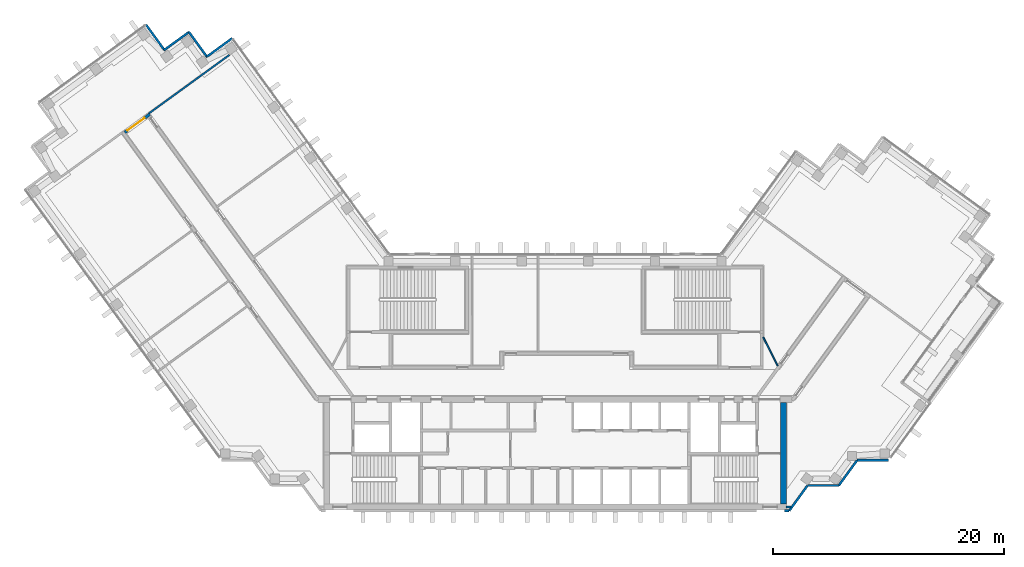
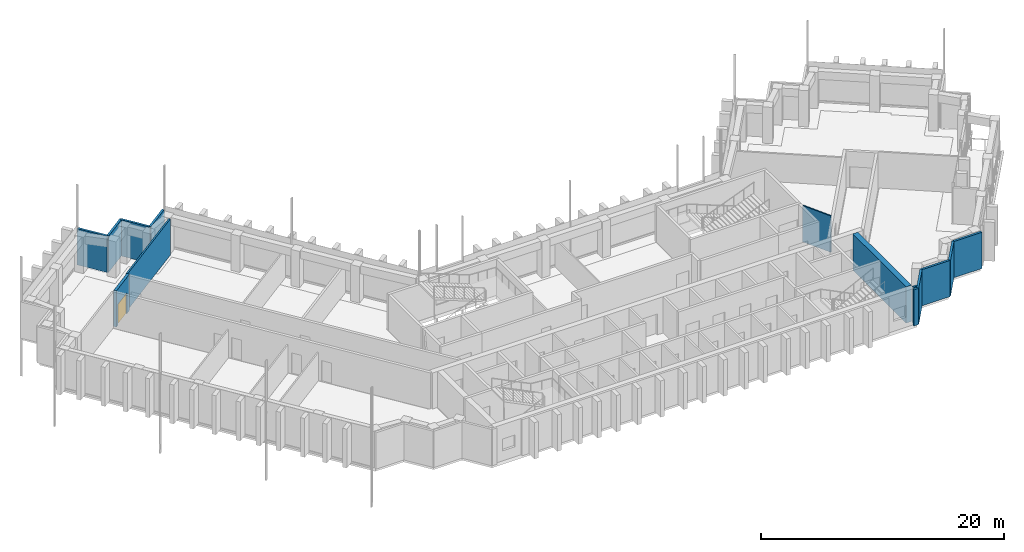
# One storey, part 11 of 14: 14 walls, 1 door, 1 opening.
"""IFC4 building model written with IfcOpenShell, lengths in metres."""

import ifcopenshell
import ifcopenshell.guid

model = None  # the IFC model being written
_history = None  # IfcOwnerHistory: only IFC2X3 demands one
_inside = {}  # id of a spatial element -> (the spatial element, [elements in it])
_under = {}  # id of a project, library or spatial element -> (it, [spatial elements below it])
_declared = {}  # id of a project -> (the project, [libraries it declares])
_typed = {}  # id of a type object -> (the type object, [elements of that type])
_made_of = {}  # id of a material, layer set ... -> (it, [elements and type objects made of it])


def new_model(schema):
    """Start an empty IFC model of exactly this schema.

    Asked for "IFC4X3", IfcOpenShell would pick the latest addendum, in which some entities
    have other attributes; the version numbers below select the first issue.
    IFC2X3 requires an IfcOwnerHistory on every rooted entity: one is made here for all.
    """
    global model, _history
    if schema == "IFC4X3":
        model = ifcopenshell.file(schema_version=(4, 3, 0, 0))
    else:
        model = ifcopenshell.file(schema=schema)
    _inside.clear()
    _under.clear()
    _declared.clear()
    _typed.clear()
    _made_of.clear()
    _history = None
    if model.schema == "IFC2X3":
        org = make("IfcOrganization", Name="unknown")
        user = make(
            "IfcPersonAndOrganization",
            ThePerson=make("IfcPerson", FamilyName="unknown"),
            TheOrganization=org,
        )
        app = make(
            "IfcApplication",
            ApplicationDeveloper=org,
            Version="unknown",
            ApplicationFullName="unknown",
            ApplicationIdentifier="unknown",
        )
        _history = make(
            "IfcOwnerHistory",
            OwningUser=user,
            OwningApplication=app,
            ChangeAction="ADDED",
            CreationDate=0,
        )
    return model


def make(cls, **values):
    """One entity of the class cls with the attributes given. An attribute that is None is left unset."""
    return model.create_entity(
        cls, **{name: value for name, value in values.items() if value is not None}
    )


def rooted(cls, **values):
    """An entity with a GlobalId (a new one), such as an element, a storey or a relation."""
    return make(cls, GlobalId=ifcopenshell.guid.new(), OwnerHistory=_history, **values)


def si_unit(unit_type, name, prefix=None):
    """IfcSIUnit, for example si_unit("LENGTHUNIT", "METRE", prefix="MILLI")."""
    return make("IfcSIUnit", UnitType=unit_type, Prefix=prefix, Name=name)


def assignment(units):
    """IfcUnitAssignment: the units of a project."""
    return None if units is None else make("IfcUnitAssignment", Units=units)


def point(xyz):
    """IfcCartesianPoint."""
    return None if xyz is None else make("IfcCartesianPoint", Coordinates=xyz)


def direction(xyz):
    """IfcDirection."""
    return None if xyz is None else make("IfcDirection", DirectionRatios=xyz)


def frame(location, z_axis=None, x_axis=None):
    """IfcAxis2Placement3D, a coordinate frame: its origin and axes. An axis left out is left unset."""
    return make(
        "IfcAxis2Placement3D",
        Location=point(location),
        Axis=direction(z_axis),
        RefDirection=direction(x_axis),
    )


def frame_2d(location, x_axis=None):
    """IfcAxis2Placement2D, a coordinate frame in the plane: its origin and x axis."""
    return make(
        "IfcAxis2Placement2D", Location=point(location), RefDirection=direction(x_axis)
    )


def origin():
    """The frame at (0, 0, 0) with its axes left unset."""
    return frame((0.0, 0.0, 0.0))


def place(relative_to, where):
    """IfcLocalPlacement: puts the frame where relative to a parent placement (None: the world)."""
    return make(
        "IfcLocalPlacement", PlacementRelTo=relative_to, RelativePlacement=where
    )


def context(
    kind, dimensions, precision=None, world=None, true_north=None, identifier=None
):
    """IfcGeometricRepresentationContext, for example the 3D "Model" context."""
    return make(
        "IfcGeometricRepresentationContext",
        ContextIdentifier=identifier,
        ContextType=kind,
        CoordinateSpaceDimension=dimensions,
        Precision=precision,
        WorldCoordinateSystem=world,
        TrueNorth=true_north,
    )


def subcontext(parent, identifier, kind, view, scale=None):
    """IfcGeometricRepresentationSubContext, for example "Body" below "Model"."""
    return make(
        "IfcGeometricRepresentationSubContext",
        ContextIdentifier=identifier,
        ContextType=kind,
        ParentContext=parent,
        TargetScale=scale,
        TargetView=view,
    )


def project(units=None, contexts=None):
    """IfcProject with its units and contexts."""
    return rooted(
        "IfcProject",
        Name="project",
        RepresentationContexts=contexts,
        UnitsInContext=assignment(units),
    )


def spatial(cls, under=None, at=None, **own):
    """A site, building, storey or space (cls), placed at a placement, below another one or the project."""
    s = rooted(cls, ObjectPlacement=at, **own)
    if under is not None:
        _under.setdefault(under.id(), (under, []))[1].append(s)
    return s


def profile(cls, at=None, kind="AREA", **sizes):
    """A parametric profile (cls). Its sizes go by their IFC names, for example OverallWidth=200.0."""
    return make(cls, ProfileType=kind, Position=at, **sizes)


def rectangle(**sizes):
    """IfcRectangleProfileDef."""
    return profile("IfcRectangleProfileDef", **sizes)


def extrude(swept, where, along, depth):
    """IfcExtrudedAreaSolid: the profile swept, set in the frame where, extruded along a direction by depth."""
    return make(
        "IfcExtrudedAreaSolid",
        SweptArea=swept,
        Position=where,
        ExtrudedDirection=direction(along),
        Depth=depth,
    )


def shape(context_of_items, identifier, shape_type, items):
    """IfcShapeRepresentation: the items that make up one representation, for example the "Body"."""
    return make(
        "IfcShapeRepresentation",
        ContextOfItems=context_of_items,
        RepresentationIdentifier=identifier,
        RepresentationType=shape_type,
        Items=items,
    )


def material(Name=None, Category=None):
    """IfcMaterial."""
    return make("IfcMaterial", Name=Name, Category=Category)


def layer(
    of_material, thickness, ventilated=None, Name=None, Category=None, Priority=None
):
    """IfcMaterialLayer: one layer of a wall or slab, of a material (None: an air gap)."""
    return make(
        "IfcMaterialLayer",
        Material=of_material,
        LayerThickness=thickness,
        IsVentilated=ventilated,
        Name=Name,
        Category=Category,
        Priority=Priority,
    )


def layer_set(layers, Name=None):
    """IfcMaterialLayerSet."""
    return make("IfcMaterialLayerSet", MaterialLayers=layers, LayerSetName=Name)


def made_of(thing, what):
    """Note that an element or type object is made of a material, layer set ...; save() writes the relation."""
    if what is not None:
        _made_of.setdefault(what.id(), (what, []))[1].append(thing)
    return thing


def type_object(cls, material=None, **own):
    """A type object (cls), such as IfcWallType, which elements share."""
    return made_of(rooted(cls, **own), material)


def element(
    cls,
    number,
    at=None,
    inside=None,
    cuts=None,
    type_object=None,
    material=None,
    context=None,
    identifier="Body",
    shape_type=None,
    held_by="IfcProductDefinitionShape",
    body=None,
    shapes=None,
    **own,
):
    """One element of the class cls, such as IfcWall. Its Tag is "e" and its number.

    at: its placement. inside: the storey or other place that contains it. cuts: it is an
    opening in that element (IfcRelVoidsElement). A single representation is given by context,
    identifier, shape_type and body (its items); several are given by shapes. held_by: the class
    of the entity that holds the representations. save() writes the other relations.
    """
    e = rooted(cls, Tag="e%d" % number, ObjectPlacement=at, **own)
    if body is not None:
        shapes = [shape(context, identifier, shape_type, body)]
    if shapes is not None:
        e.Representation = make(held_by, Representations=shapes)
    if inside is not None:
        _inside.setdefault(inside.id(), (inside, []))[1].append(e)
    if cuts is not None:
        rooted(
            "IfcRelVoidsElement", RelatingBuildingElement=cuts, RelatedOpeningElement=e
        )
    if type_object is not None:
        _typed.setdefault(type_object.id(), (type_object, []))[1].append(e)
    return made_of(e, material)


def fill(opening, filler):
    """IfcRelFillsElement: the door or window that sits in an opening."""
    return rooted(
        "IfcRelFillsElement",
        RelatingOpeningElement=opening,
        RelatedBuildingElement=filler,
    )


def aggregate(whole, parts):
    """IfcRelAggregates: a whole, such as a stair, and the parts it consists of."""
    return rooted("IfcRelAggregates", RelatingObject=whole, RelatedObjects=parts)


def save(model, path):
    """Write the relations noted so far, then the file.

    IfcRelAggregates (storeys below a building ...), IfcRelContainedInSpatialStructure (elements
    in a storey), IfcRelDefinesByType, IfcRelAssociatesMaterial and IfcRelDeclares: one each for
    every whole, place, type object, material and project.
    """
    for whole, parts in _under.values():
        aggregate(whole, parts)
    for where, things in _inside.values():
        rooted(
            "IfcRelContainedInSpatialStructure",
            RelatedElements=things,
            RelatingStructure=where,
        )
    for kind, things in _typed.values():
        rooted("IfcRelDefinesByType", RelatedObjects=things, RelatingType=kind)
    for what, things in _made_of.values():
        rooted("IfcRelAssociatesMaterial", RelatedObjects=things, RelatingMaterial=what)
    for by, libraries in _declared.values():
        rooted("IfcRelDeclares", RelatingContext=by, RelatedDefinitions=libraries)
    model.write(path)


model = new_model("IFC4")

# Units and contexts
model_context = context("Model", 3, precision=1e-05, world=origin(), true_north=direction((0.0, 1.0)))
body_context = subcontext(model_context, "Body", "Model", "MODEL_VIEW")
ifc_project = project(units=[si_unit("LENGTHUNIT", "METRE"), si_unit("AREAUNIT", "SQUARE_METRE"), si_unit("VOLUMEUNIT", "CUBIC_METRE"), si_unit("PLANEANGLEUNIT", "RADIAN"), si_unit("MASSUNIT", "GRAM", prefix="KILO")], contexts=[model_context])

# Site, building, storey
site_placement = place(None, origin())
site = spatial("IfcSite", under=ifc_project, at=site_placement, CompositionType="ELEMENT")
building_placement = place(site_placement, origin())
building = spatial("IfcBuilding", under=site, at=building_placement, Name="Quipu Civic Tower", CompositionType="ELEMENT")
storey_placement = place(building_placement, frame((0.0, 0.0, 198.0)))
storey = spatial("IfcBuildingStorey", under=building, at=storey_placement, Name="L46", CompositionType="ELEMENT", Elevation=198.0)

# Walls
ifc_material_1 = material(Name="Double gypsum plasterboard with mineral wool")
ifc_layer_1 = layer(ifc_material_1, 0.14990234375)
ifc_layer_set_1 = layer_set([ifc_layer_1], Name="Double gypsum plasterboard with mineral wool")
wall_type_1 = type_object("IfcWallType", Name="Acoustic partition 150 plasterboard", PredefinedType="PARTITIONING", material=ifc_layer_set_1)
wall_1_placement = place(storey_placement, frame((-28.16845703125, 28.341064453125, 0.0), z_axis=(0.0, 0.0, 1.0), x_axis=(-0.809030614944, -0.58776650473, 0.0)))
element("IfcWall", 1, at=wall_1_placement, inside=storey, type_object=wall_type_1, Name="Partition P06", PredefinedType="PARTITIONING", context=body_context, shape_type="SweptSolid", body=[
    extrude(rectangle(XDim=8.599853515625, YDim=0.14990234375, at=frame_2d((4.2998046875, 0.0))), origin(), (0.0, 0.0, 1.0), 3.64990234375),
])
ifc_material_2 = material(Name="Concrete C70/85", Category="concrete")
ifc_layer_2 = layer(ifc_material_2, 0.5)
ifc_layer_set_2 = layer_set([ifc_layer_2], Name="Concrete C70/85")
wall_type_2 = type_object("IfcWallType", Name="Core wall 500", PredefinedType="SHEAR", material=ifc_layer_set_2)
wall_2_placement = place(storey_placement, frame((19.75, -10.5, 0.0), z_axis=(0.0, 0.0, 1.0), x_axis=(0.0, 1.0, 0.0)))
element("IfcWall", 2, at=wall_2_placement, inside=storey, type_object=wall_type_2, Name="Core wall", PredefinedType="SHEAR", context=body_context, shape_type="SweptSolid", body=[
    extrude(rectangle(XDim=8.800048828125, YDim=0.5, at=frame_2d((4.39990234375, 0.0))), origin(), (0.0, 0.0, 1.0), 3.64990234375),
])

# Wall, opening, door
ifc_material_3 = material(Name="Concrete C50/60", Category="concrete")
ifc_layer_3 = layer(ifc_material_3, 0.25)
ifc_layer_set_3 = layer_set([ifc_layer_3], Name="Concrete C50/60")
wall_type_3 = type_object("IfcWallType", Name="Corridor wall 250 concrete", PredefinedType="SOLIDWALL", material=ifc_layer_set_3)
wall_3_placement = place(storey_placement, frame((-37.20849609375, 21.643798828125, 0.0), z_axis=(0.0, 0.0, 1.0), x_axis=(0.809038743598, 0.587755315891, 0.0)))
wall_3 = element("IfcWall", 3, at=wall_3_placement, inside=storey, type_object=wall_type_3, Name="Corridor wall C05", PredefinedType="SOLIDWALL", context=body_context, shape_type="SweptSolid", body=[
    extrude(rectangle(XDim=2.650146484375, YDim=0.25, at=frame_2d((1.3251953125, 0.0))), origin(), (0.0, 0.0, 1.0), 3.64990234375),
])
opening_placement = place(wall_3_placement, frame((0.2998046875, 0.0, 0.0)))
opening = element("IfcOpeningElement", 4, at=opening_placement, cuts=wall_3, Name="Opening D014", PredefinedType="OPENING", context=body_context, shape_type="SweptSolid", body=[
    extrude(rectangle(XDim=1.800048828125, YDim=2.10009765625, at=frame_2d((0.89990234375, 1.050048828125))), frame((0.0, 0.135009765625, 0.0), z_axis=(0.0, -1.0, 0.0), x_axis=(1.0, 0.0, 0.0)), (0.0, 0.0, 1.0), 0.27001953125),
])
ifc_material_4 = material(Name="Fire rated timber door set with metal frame", Category="wood")
door_type = type_object("IfcDoorType", Name="Double door 1800 x 2100 FD60", OperationType="DOUBLE_DOOR_SINGLE_SWING", PredefinedType="DOOR", material=ifc_material_4)
door_placement = place(opening_placement, origin())
door = element("IfcDoor", 5, at=door_placement, inside=storey, type_object=door_type, Name="Door D014", OperationType="DOUBLE_DOOR_SINGLE_SWING", OverallHeight=2.10009765625, OverallWidth=1.800048828125, PredefinedType="DOOR", context=body_context, shape_type="SweptSolid", body=[
    extrude(rectangle(XDim=1.800048828125, YDim=2.10009765625, at=frame_2d((0.89990234375, 1.050048828125))), frame((0.0, 0.02490234375, 0.0), z_axis=(0.0, -1.0, 0.0), x_axis=(1.0, 0.0, 0.0)), (0.0, 0.0, 1.0), 0.050048828125),
])
fill(opening, door)

# Walls
ifc_material_5 = material(Name="Gypsum plasterboard on light gauge framing")
ifc_layer_4 = layer(ifc_material_5, 0.1201171875)
ifc_layer_set_4 = layer_set([ifc_layer_4], Name="Gypsum plasterboard on light gauge framing")
wall_type_4 = type_object("IfcWallType", Name="Partition 120 plasterboard", PredefinedType="PARTITIONING", material=ifc_layer_set_4)
wall_4_placement = place(storey_placement, frame((18.0, 3.925048828125, 0.0), z_axis=(0.0, 0.0, 1.0), x_axis=(0.453950796792, -0.891026752736, 0.0)))
element("IfcWall", 6, at=wall_4_placement, inside=storey, type_object=wall_type_4, Name="Partition P12", PredefinedType="PARTITIONING", context=body_context, shape_type="SweptSolid", body=[
    extrude(rectangle(XDim=2.77783203125, YDim=0.1201171875, at=frame_2d((1.388916015625, 0.0))), origin(), (0.0, 0.0, 1.0), 3.64990234375),
])
ifc_material_6 = material(Name="Precast concrete C40/50", Category="concrete")
wall_type_5 = type_object("IfcWallType", Name="Precast cladding wall", PredefinedType="SOLIDWALL", material=ifc_material_6)
for number, where, z_axis, x_axis, name in (
    (7, (-27.92138671875, 29.787109375, 0.0), (0.0, 0.0, 1.0), (-0.809033161865, -0.587762999008, 0.0), "Precast cladding wall L46 P14"),
    (8, (-30.08349609375, 28.149169921875, 0.0), (0.0, 0.0, 1.0), (-0.587762999008, 0.809033161865, 0.0), "Precast cladding wall L46 P15"),
    (9, (-31.653564453125, 30.330810546875, 0.0), (0.0, 0.0, 1.0), (-0.809033161865, -0.587762999008, 0.0), "Precast cladding wall L46 P16"),
    (10, (-33.80078125, 28.785888671875, 0.0), (0.0, 0.0, 1.0), (-0.587762999008, 0.809033161865, 0.0), "Precast cladding wall L46 P17"),
):
    element("IfcWall", number, at=place(storey_placement, frame(where, z_axis=z_axis, x_axis=x_axis)), inside=storey, type_object=wall_type_5, Name=name, PredefinedType="SOLIDWALL", context=body_context, shape_type="SweptSolid", body=[
        extrude(rectangle(XDim=2.699951171875, YDim=0.199951171875, at=frame_2d((1.35009765625, 0.0))), origin(), (0.0, 0.0, 1.0), 3.64990234375),
    ])
wall_5_placement = place(storey_placement, frame((19.85009765625, -11.087890625, 0.0), z_axis=(0.0, 0.0, 1.0), x_axis=(1.0, 0.0, 0.0)))
element("IfcWall", 11, at=wall_5_placement, inside=storey, type_object=wall_type_5, Name="Precast cladding wall L46 P31", PredefinedType="SOLIDWALL", context=body_context, shape_type="SweptSolid", body=[
    extrude(rectangle(XDim=0.40576171875, YDim=0.199951171875, at=frame_2d((0.202880859375, 0.0))), origin(), (0.0, 0.0, 1.0), 3.64990234375),
])
wall_6_placement = place(storey_placement, frame((20.253173828125, -11.083251953125, 0.0), z_axis=(0.0, 0.0, 1.0), x_axis=(0.587766567315, 0.809030569476, 0.0)))
element("IfcWall", 12, at=wall_6_placement, inside=storey, type_object=wall_type_5, Name="Precast cladding wall L46 P32", PredefinedType="SOLIDWALL", context=body_context, shape_type="SweptSolid", body=[
    extrude(rectangle(XDim=2.687744140625, YDim=0.199951171875, at=frame_2d((1.34375, 0.0))), origin(), (0.0, 0.0, 1.0), 3.64990234375),
])
wall_7_placement = place(storey_placement, frame((21.8427734375, -8.90380859375, 0.0), z_axis=(0.0, 0.0, 1.0), x_axis=(1.0, 0.0, 0.0)))
element("IfcWall", 13, at=wall_7_placement, inside=storey, type_object=wall_type_5, Name="Precast cladding wall L46 P33", PredefinedType="SOLIDWALL", context=body_context, shape_type="SweptSolid", body=[
    extrude(rectangle(XDim=2.699951171875, YDim=0.199951171875, at=frame_2d((1.35009765625, 0.0))), origin(), (0.0, 0.0, 1.0), 3.64990234375),
])
wall_8_placement = place(storey_placement, frame((24.533203125, -8.90869140625, 0.0), z_axis=(0.0, 0.0, 1.0), x_axis=(0.587720002413, 0.809064397168, 0.0)))
element("IfcWall", 14, at=wall_8_placement, inside=storey, type_object=wall_type_5, Name="Precast cladding wall L46 P34", PredefinedType="SOLIDWALL", context=body_context, shape_type="SweptSolid", body=[
    extrude(rectangle(XDim=2.7001953125, YDim=0.199951171875, at=frame_2d((1.35009765625, 0.0))), origin(), (0.0, 0.0, 1.0), 3.64990234375),
])
wall_9_placement = place(storey_placement, frame((26.1298828125, -6.71923828125, 0.0), z_axis=(0.0, 0.0, 1.0), x_axis=(1.0, 0.0, 0.0)))
element("IfcWall", 15, at=wall_9_placement, inside=storey, type_object=wall_type_5, Name="Precast cladding wall L46 P35", PredefinedType="SOLIDWALL", context=body_context, shape_type="SweptSolid", body=[
    extrude(rectangle(XDim=2.699951171875, YDim=0.199951171875, at=frame_2d((1.35009765625, 0.0))), origin(), (0.0, 0.0, 1.0), 3.64990234375),
])
wall_10_placement = place(storey_placement, frame((19.97998046875, -10.75, 0.0), z_axis=(0.0, 0.0, 1.0), x_axis=(1.0, 0.0, 0.0)))
element("IfcWall", 16, at=wall_10_placement, inside=storey, type_object=wall_type_5, Name="Precast cladding return L46 E", PredefinedType="SOLIDWALL", context=body_context, shape_type="SweptSolid", body=[
    extrude(rectangle(XDim=0.41650390625, YDim=0.199951171875, at=frame_2d((0.208251953125, 0.0))), origin(), (0.0, 0.0, 1.0), 3.64990234375),
])

save(model, "model.ifc")
